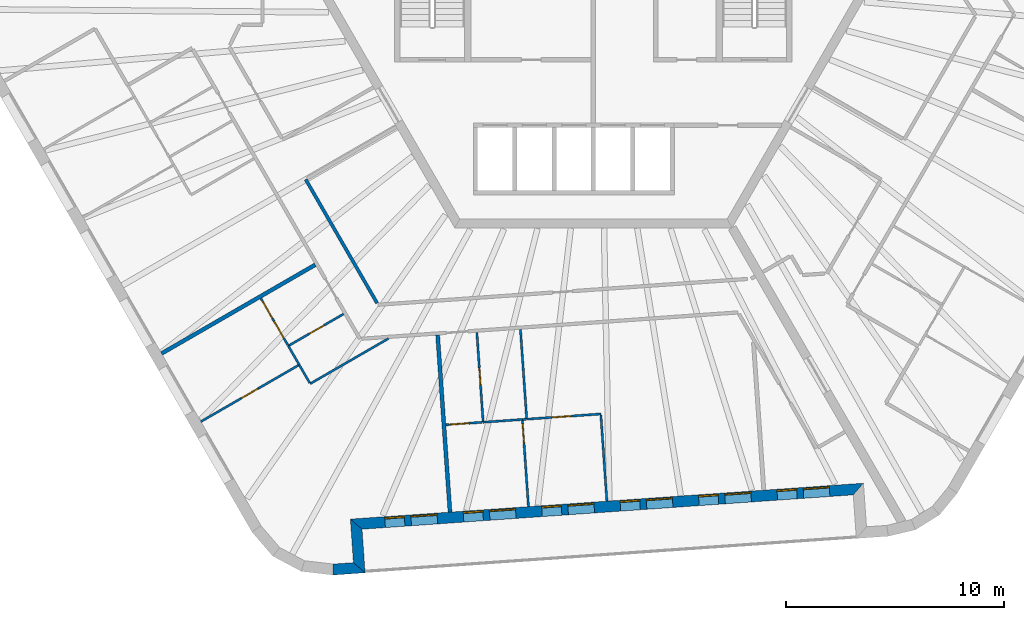
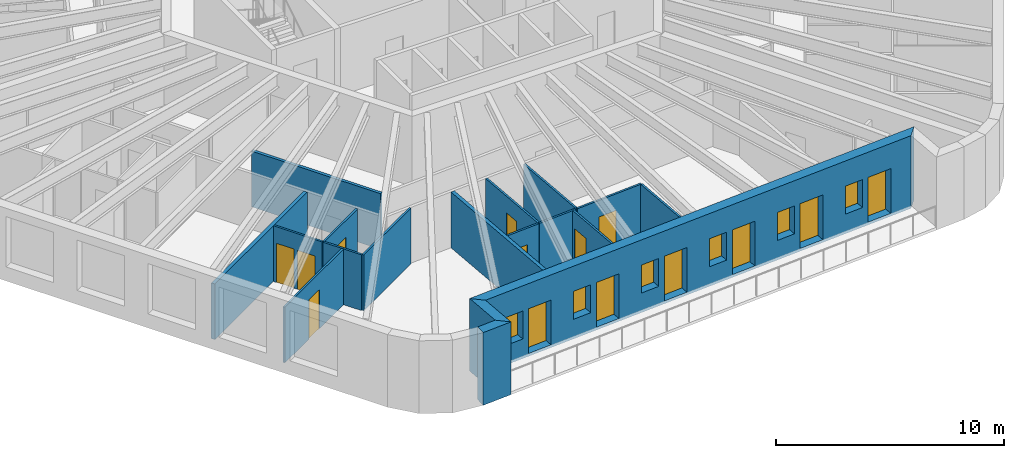
# One storey, part 3 of 12: 20 walls, 14 doors, 6 windows, 20 openings.
"""IFC4 building model written with IfcOpenShell, lengths in metres."""

from ifc_helpers import new_model, si_unit, direction, frame, frame_2d, origin, place, context, subcontext, project, spatial, polyline, rectangle, outline, extrude, material, layer, layer_set, type_object, element, fill, save


model = new_model("IFC4")

# Units and contexts
model_context = context("Model", 3, precision=1e-05, world=origin(), true_north=direction((0.0, 1.0)))
body_context = subcontext(model_context, "Body", "Model", "MODEL_VIEW")
ifc_project = project(units=[si_unit("LENGTHUNIT", "METRE"), si_unit("AREAUNIT", "SQUARE_METRE"), si_unit("VOLUMEUNIT", "CUBIC_METRE"), si_unit("PLANEANGLEUNIT", "RADIAN"), si_unit("MASSUNIT", "GRAM", prefix="KILO")], contexts=[model_context])

# Site, building, storey
site_placement = place(None, origin())
site = spatial("IfcSite", under=ifc_project, at=site_placement, CompositionType="ELEMENT")
building_placement = place(site_placement, origin())
building = spatial("IfcBuilding", under=site, at=building_placement, Name="Tarnside Tower", CompositionType="ELEMENT")
storey_placement = place(building_placement, frame((0.0, 0.0, 287.39990234375)))
storey = spatial("IfcBuildingStorey", under=building, at=storey_placement, Name="L69", CompositionType="ELEMENT", Elevation=287.39990234375)

# Walls
ifc_material_1 = material(Name="Gypsum board partition on steel studs", Category="steel")
ifc_layer_1 = layer(ifc_material_1, 0.10009765625)
ifc_layer_set_1 = layer_set([ifc_layer_1], Name="Bathroom wall 100")
wall_type_1 = type_object("IfcWallType", Name="Bathroom wall 100", PredefinedType="PARTITIONING", material=ifc_layer_set_1)
wall_1_placement = place(storey_placement, frame((-9.382080078125, -16.068603515625, 0.0), z_axis=(0.0, 0.0, 1.0), x_axis=(-0.866028486751, -0.499994660107, 0.0)))
element("IfcWall", 1, at=wall_1_placement, inside=storey, type_object=wall_type_1, Name="Bathroom wall 22129", PredefinedType="PARTITIONING", context=body_context, shape_type="SweptSolid", body=[
    extrude(rectangle(XDim=4.140625, YDim=0.10009765625, at=frame_2d((2.0703125, 0.0))), origin(), (0.0, 0.0, 1.0), 2.98779296875),
])
wall_2_placement = place(storey_placement, frame((-12.992919921875, -18.095703125, 0.0), z_axis=(0.0, 0.0, 1.0), x_axis=(-0.500055416838, 0.865993406494, 0.0)))
element("IfcWall", 2, at=wall_2_placement, inside=storey, type_object=wall_type_1, Name="Bathroom wall 22130", PredefinedType="PARTITIONING", context=body_context, shape_type="SweptSolid", body=[
    extrude(rectangle(XDim=0.9521484375, YDim=0.10009765625, at=frame_2d((0.47607421875, 0.0))), origin(), (0.0, 0.0, 1.0), 2.98779296875),
])

# Wall, opening, door
wall_3_placement = place(storey_placement, frame((-13.968017578125, -16.40673828125, 0.0), z_axis=(0.0, 0.0, 1.0), x_axis=(0.866046596414, 0.499963291492, 0.0)))
wall_3 = element("IfcWall", 3, at=wall_3_placement, inside=storey, type_object=wall_type_1, Name="Bathroom wall 22134", PredefinedType="PARTITIONING", context=body_context, shape_type="SweptSolid", body=[
    extrude(rectangle(XDim=2.925048828125, YDim=0.10009765625, at=frame_2d((1.46240234375, 0.0))), origin(), (0.0, 0.0, 1.0), 2.98779296875),
])
opening_1_placement = place(wall_3_placement, frame((1.10009765625, 0.0, 0.0)))
opening_1 = element("IfcOpeningElement", 4, at=opening_1_placement, cuts=wall_3, Name="Opening D-B1", PredefinedType="OPENING", context=body_context, shape_type="SweptSolid", body=[
    extrude(rectangle(XDim=0.800048828125, YDim=2.10009765625, at=frame_2d((0.39990234375, 1.050048828125))), frame((0.0, 0.06005859375, 0.0), z_axis=(0.0, -1.0, 0.0), x_axis=(1.0, 0.0, 0.0)), (0.0, 0.0, 1.0), 0.1201171875),
])
ifc_material_2 = material(Name="Timber door leaf", Category="wood")
door_type_1 = type_object("IfcDoorType", Name="Bathroom door 800", OperationType="NOTDEFINED", PredefinedType="DOOR", material=ifc_material_2)
door_1_placement = place(opening_1_placement, origin())
door_1 = element("IfcDoor", 5, at=door_1_placement, inside=storey, type_object=door_type_1, Name="Bathroom door 22042", OperationType="SINGLE_SWING_LEFT", OverallHeight=2.10009765625, OverallWidth=0.800048828125, PredefinedType="DOOR", context=body_context, shape_type="SweptSolid", body=[
    extrude(rectangle(XDim=0.800048828125, YDim=2.10009765625, at=frame_2d((0.39990234375, 1.050048828125))), frame((0.0, 0.02490234375, 0.0), z_axis=(0.0, -1.0, 0.0), x_axis=(1.0, 0.0, 0.0)), (0.0, 0.0, 1.0), 0.050048828125),
])
fill(opening_1, door_1)

# Walls
wall_4_placement = place(storey_placement, frame((-13.968994140625, -16.405029296875, 0.0), z_axis=(0.0, 0.0, 1.0), x_axis=(0.499912255713, -0.866076057046, 0.0)))
element("IfcWall", 6, at=wall_4_placement, inside=storey, type_object=wall_type_1, Name="Bathroom wall 22136", PredefinedType="PARTITIONING", context=body_context, shape_type="SweptSolid", body=[
    extrude(rectangle(XDim=1.002197265625, YDim=0.10009765625, at=frame_2d((0.5009765625, 0.0))), origin(), (0.0, 0.0, 1.0), 2.98779296875),
])
wall_5_placement = place(storey_placement, frame((-3.341552734375, -15.646240234375, 0.0), z_axis=(0.0, 0.0, 1.0), x_axis=(0.069779065701, -0.997562470219, 0.0)))
element("IfcWall", 7, at=wall_5_placement, inside=storey, type_object=wall_type_1, Name="Bathroom wall 22137", PredefinedType="PARTITIONING", context=body_context, shape_type="SweptSolid", body=[
    extrude(rectangle(XDim=4.125, YDim=0.10009765625, at=frame_2d((2.0625, 0.0))), origin(), (0.0, 0.0, 1.0), 2.98779296875),
])

# Wall, opening, door
wall_6_placement = place(storey_placement, frame((-5.048828125, -19.900634765625, 0.0), z_axis=(0.0, 0.0, 1.0), x_axis=(-0.069779065701, 0.997562470219, 0.0)))
wall_6 = element("IfcWall", 8, at=wall_6_placement, inside=storey, type_object=wall_type_1, Name="Bathroom wall 22141", PredefinedType="PARTITIONING", context=body_context, shape_type="SweptSolid", body=[
    extrude(rectangle(XDim=4.125, YDim=0.10009765625, at=frame_2d((2.0625, 0.0))), origin(), (0.0, 0.0, 1.0), 2.98779296875),
])
opening_2_placement = place(wall_6_placement, frame((1.699951171875, 0.0, 0.0)))
opening_2 = element("IfcOpeningElement", 9, at=opening_2_placement, cuts=wall_6, Name="Opening D-B1", PredefinedType="OPENING", context=body_context, shape_type="SweptSolid", body=[
    extrude(rectangle(XDim=0.800048828125, YDim=2.10009765625, at=frame_2d((0.39990234375, 1.050048828125))), frame((0.0, 0.06005859375, 0.0), z_axis=(0.0, -1.0, 0.0), x_axis=(1.0, 0.0, 0.0)), (0.0, 0.0, 1.0), 0.1201171875),
])
door_2_placement = place(opening_2_placement, origin())
door_2 = element("IfcDoor", 10, at=door_2_placement, inside=storey, type_object=door_type_1, Name="Bathroom door 22047", OperationType="SINGLE_SWING_LEFT", OverallHeight=2.10009765625, OverallWidth=0.800048828125, PredefinedType="DOOR", context=body_context, shape_type="SweptSolid", body=[
    extrude(rectangle(XDim=0.800048828125, YDim=2.10009765625, at=frame_2d((0.39990234375, 1.050048828125))), frame((0.0, 0.02490234375, 0.0), z_axis=(0.0, -1.0, 0.0), x_axis=(1.0, 0.0, 0.0)), (0.0, 0.0, 1.0), 0.050048828125),
])
fill(opening_2, door_2)

# Walls
wall_7_placement = place(storey_placement, frame((-5.05078125, -19.90087890625, 0.0), z_axis=(0.0, 0.0, 1.0), x_axis=(0.997562835018, 0.069773850337, 0.0)))
element("IfcWall", 11, at=wall_7_placement, inside=storey, type_object=wall_type_1, Name="Bathroom wall 22143", PredefinedType="PARTITIONING", context=body_context, shape_type="SweptSolid", body=[
    extrude(rectangle(XDim=1.802001953125, YDim=0.10009765625, at=frame_2d((0.90087890625, 0.0))), origin(), (0.0, 0.0, 1.0), 2.98779296875),
])
wall_8_placement = place(storey_placement, frame((-3.253173828125, -19.775146484375, 0.0), z_axis=(0.0, 0.0, 1.0), x_axis=(0.997499305037, 0.070676279262, 0.0)))
element("IfcWall", 12, at=wall_8_placement, inside=storey, type_object=wall_type_1, Name="Bathroom wall 22144", PredefinedType="PARTITIONING", context=body_context, shape_type="SweptSolid", body=[
    extrude(rectangle(XDim=0.152099609375, YDim=0.10009765625, at=frame_2d((0.076171875, 0.0))), origin(), (0.0, 0.0, 1.0), 2.98779296875),
])
ifc_layer_2 = layer(ifc_material_1, 0.14990234375)
ifc_layer_set_2 = layer_set([ifc_layer_2], Name="Corridor wall 150 EI 60")
wall_type_2 = type_object("IfcWallType", Name="Corridor wall 150 EI 60", PredefinedType="PARTITIONING", material=ifc_layer_set_2)
wall_9_placement = place(storey_placement, frame((-9.901123046875, -14.450927734375, 0.0), z_axis=(0.0, 0.0, 1.0), x_axis=(-0.49999161165, 0.866030246746, 0.0)))
element("IfcWall", 13, at=wall_9_placement, inside=storey, type_object=wall_type_2, Name="Corridor wall 22053", PredefinedType="PARTITIONING", context=body_context, shape_type="SweptSolid", body=[
    extrude(rectangle(XDim=6.54296875, YDim=0.14990234375, at=frame_2d((3.271484375, 0.0))), origin(), (0.0, 0.0, 1.0), 2.98779296875),
])
ifc_layer_3 = layer(ifc_material_1, 0.179931640625)
ifc_layer_set_3 = layer_set([ifc_layer_3], Name="Demising wall 180 EI 60")
wall_type_3 = type_object("IfcWallType", Name="Demising wall 180 EI 60", PredefinedType="PARTITIONING", material=ifc_layer_set_3)
for number, where, z_axis, x_axis, name in (
    (14, (-19.771240234375, -16.755126953125, 0.0), (0.0, 0.0, 1.0), (0.866022959057, 0.500004234368, 0.0), "Demising wall 22120"),
    (15, (-6.5654296875, -24.0166015625, 0.0), (0.0, 0.0, 1.0), (-0.069741515951, 0.997565096098, 0.0), "Demising wall 22132"),
):
    element("IfcWall", number, at=place(storey_placement, frame(where, z_axis=z_axis, x_axis=x_axis)), inside=storey, type_object=wall_type_3, Name=name, PredefinedType="PARTITIONING", context=body_context, shape_type="SweptSolid", body=[
        extrude(rectangle(XDim=8.125, YDim=0.179931640625, at=frame_2d((4.0625, 0.0))), origin(), (0.0, 0.0, 1.0), 2.98779296875),
    ])
ifc_material_3 = material(Name="Dark zinc cladding")
ifc_layer_4 = layer(ifc_material_3, 0.10205078125)
ifc_material_4 = material(Name="Concrete C60/75 precast", Category="concrete")
ifc_layer_5 = layer(ifc_material_4, 0.298095703125)
ifc_material_5 = material(Name="Mineral wool insulation")
ifc_layer_6 = layer(ifc_material_5, 0.10009765625)
ifc_layer_set_4 = layer_set([ifc_layer_4, ifc_layer_5, ifc_layer_6], Name="Loggia wall 500 zinc faced")
wall_type_4 = type_object("IfcWallType", Name="Loggia wall 500 zinc faced", PredefinedType="SOLIDWALL", material=ifc_layer_set_4)
wall_10_placement = place(storey_placement, frame((-11.91748046875, -26.646240234375, -0.14990234375), z_axis=(0.0, 0.0, 1.0), x_axis=(0.997562933087, 0.069772448216, 0.0)))
element("IfcWall", 16, at=wall_10_placement, inside=storey, type_object=wall_type_4, Name="Tube wall L69 F4 stub 16", PredefinedType="SOLIDWALL", context=body_context, shape_type="SweptSolid", body=[
    extrude(outline(polyline([(-0.0234375, -0.25), (1.4501953125, -0.25), (0.9501953125, 0.25), (0.0234375, 0.25), (-0.0234375, -0.25)])), origin(), (0.0, 0.0, 1.0), 3.89990234375),
])
wall_11_placement = place(storey_placement, frame((-10.72021484375, -26.5625, -0.14990234375), z_axis=(0.0, 0.0, 1.0), x_axis=(-0.069824268692, 0.99755930726, 0.0)))
element("IfcWall", 17, at=wall_11_placement, inside=storey, type_object=wall_type_4, Name="Tube wall L69 F4 return 17", PredefinedType="SOLIDWALL", context=body_context, shape_type="SweptSolid", body=[
    extrude(outline(polyline([(-0.25, -0.25), (1.75, -0.25), (2.25, 0.25), (0.25, 0.25), (-0.25, -0.25)])), origin(), (0.0, 0.0, 1.0), 3.89990234375),
])

# Wall, openings, doors, windows
wall_12_placement = place(storey_placement, frame((-10.85986328125, -24.5673828125, -0.14990234375), z_axis=(0.0, 0.0, 1.0), x_axis=(0.997564329317, 0.06975248292, 0.0)))
wall_12 = element("IfcWall", 18, at=wall_12_placement, inside=storey, type_object=wall_type_4, Name="Tube wall L69 F4 back 18", PredefinedType="SOLIDWALL", context=body_context, shape_type="SweptSolid", body=[
    extrude(outline(polyline([(0.25, -0.25), (22.794677734375, -0.25), (23.294677734375, 0.25), (-0.25, 0.25), (0.25, -0.25)])), origin(), (0.0, 0.0, 1.0), 3.89990234375),
])
opening_3_placement = place(wall_12_placement, frame((1.322509765625, 0.0, 1.050048828125)))
opening_3 = element("IfcOpeningElement", 19, at=opening_3_placement, cuts=wall_12, Name="Opening WL500", PredefinedType="OPENING", context=body_context, shape_type="SweptSolid", body=[
    extrude(rectangle(XDim=0.89990234375, YDim=1.5, at=frame_2d((0.449951171875, 0.75))), frame((0.0, 0.260009765625, 0.0), z_axis=(0.0, -1.0, 0.0), x_axis=(1.0, 0.0, 0.0)), (0.0, 0.0, 1.0), 0.52001953125),
])
opening_4_placement = place(wall_12_placement, frame((2.5224609375, 0.0, 0.14990234375)))
opening_4 = element("IfcOpeningElement", 20, at=opening_4_placement, cuts=wall_12, Name="Opening DB500", PredefinedType="OPENING", context=body_context, shape_type="SweptSolid", body=[
    extrude(rectangle(XDim=1.199951171875, YDim=2.39990234375, at=frame_2d((0.60009765625, 1.199951171875))), frame((0.0, 0.260009765625, 0.0), z_axis=(0.0, -1.0, 0.0), x_axis=(1.0, 0.0, 0.0)), (0.0, 0.0, 1.0), 0.52001953125),
])
opening_5_placement = place(wall_12_placement, frame((4.92236328125, 0.0, 1.050048828125)))
opening_5 = element("IfcOpeningElement", 21, at=opening_5_placement, cuts=wall_12, Name="Opening WL500", PredefinedType="OPENING", context=body_context, shape_type="SweptSolid", body=[
    extrude(rectangle(XDim=0.89990234375, YDim=1.5, at=frame_2d((0.449951171875, 0.75))), frame((0.0, 0.260009765625, 0.0), z_axis=(0.0, -1.0, 0.0), x_axis=(1.0, 0.0, 0.0)), (0.0, 0.0, 1.0), 0.52001953125),
])
opening_6_placement = place(wall_12_placement, frame((6.122314453125, 0.0, 0.14990234375)))
opening_6 = element("IfcOpeningElement", 22, at=opening_6_placement, cuts=wall_12, Name="Opening DB500", PredefinedType="OPENING", context=body_context, shape_type="SweptSolid", body=[
    extrude(rectangle(XDim=1.199951171875, YDim=2.39990234375, at=frame_2d((0.60009765625, 1.199951171875))), frame((0.0, 0.260009765625, 0.0), z_axis=(0.0, -1.0, 0.0), x_axis=(1.0, 0.0, 0.0)), (0.0, 0.0, 1.0), 0.52001953125),
])
opening_7_placement = place(wall_12_placement, frame((8.5224609375, 0.0, 1.050048828125)))
opening_7 = element("IfcOpeningElement", 23, at=opening_7_placement, cuts=wall_12, Name="Opening WL500", PredefinedType="OPENING", context=body_context, shape_type="SweptSolid", body=[
    extrude(rectangle(XDim=0.89990234375, YDim=1.5, at=frame_2d((0.449951171875, 0.75))), frame((0.0, 0.260009765625, 0.0), z_axis=(0.0, -1.0, 0.0), x_axis=(1.0, 0.0, 0.0)), (0.0, 0.0, 1.0), 0.52001953125),
])
opening_8_placement = place(wall_12_placement, frame((9.722412109375, 0.0, 0.14990234375)))
opening_8 = element("IfcOpeningElement", 24, at=opening_8_placement, cuts=wall_12, Name="Opening DB500", PredefinedType="OPENING", context=body_context, shape_type="SweptSolid", body=[
    extrude(rectangle(XDim=1.199951171875, YDim=2.39990234375, at=frame_2d((0.60009765625, 1.199951171875))), frame((0.0, 0.260009765625, 0.0), z_axis=(0.0, -1.0, 0.0), x_axis=(1.0, 0.0, 0.0)), (0.0, 0.0, 1.0), 0.52001953125),
])
opening_9_placement = place(wall_12_placement, frame((12.122314453125, 0.0, 1.050048828125)))
opening_9 = element("IfcOpeningElement", 25, at=opening_9_placement, cuts=wall_12, Name="Opening WL500", PredefinedType="OPENING", context=body_context, shape_type="SweptSolid", body=[
    extrude(rectangle(XDim=0.89990234375, YDim=1.5, at=frame_2d((0.449951171875, 0.75))), frame((0.0, 0.260009765625, 0.0), z_axis=(0.0, -1.0, 0.0), x_axis=(1.0, 0.0, 0.0)), (0.0, 0.0, 1.0), 0.52001953125),
])
opening_10_placement = place(wall_12_placement, frame((13.322509765625, 0.0, 0.14990234375)))
opening_10 = element("IfcOpeningElement", 26, at=opening_10_placement, cuts=wall_12, Name="Opening DB500", PredefinedType="OPENING", context=body_context, shape_type="SweptSolid", body=[
    extrude(rectangle(XDim=1.199951171875, YDim=2.39990234375, at=frame_2d((0.60009765625, 1.199951171875))), frame((0.0, 0.260009765625, 0.0), z_axis=(0.0, -1.0, 0.0), x_axis=(1.0, 0.0, 0.0)), (0.0, 0.0, 1.0), 0.52001953125),
])
opening_11_placement = place(wall_12_placement, frame((15.722412109375, 0.0, 1.050048828125)))
opening_11 = element("IfcOpeningElement", 27, at=opening_11_placement, cuts=wall_12, Name="Opening WL500", PredefinedType="OPENING", context=body_context, shape_type="SweptSolid", body=[
    extrude(rectangle(XDim=0.89990234375, YDim=1.5, at=frame_2d((0.449951171875, 0.75))), frame((0.0, 0.260009765625, 0.0), z_axis=(0.0, -1.0, 0.0), x_axis=(1.0, 0.0, 0.0)), (0.0, 0.0, 1.0), 0.52001953125),
])
opening_12_placement = place(wall_12_placement, frame((16.92236328125, 0.0, 0.14990234375)))
opening_12 = element("IfcOpeningElement", 28, at=opening_12_placement, cuts=wall_12, Name="Opening DB500", PredefinedType="OPENING", context=body_context, shape_type="SweptSolid", body=[
    extrude(rectangle(XDim=1.199951171875, YDim=2.39990234375, at=frame_2d((0.60009765625, 1.199951171875))), frame((0.0, 0.260009765625, 0.0), z_axis=(0.0, -1.0, 0.0), x_axis=(1.0, 0.0, 0.0)), (0.0, 0.0, 1.0), 0.52001953125),
])
opening_13_placement = place(wall_12_placement, frame((19.322509765625, 0.0, 1.050048828125)))
opening_13 = element("IfcOpeningElement", 29, at=opening_13_placement, cuts=wall_12, Name="Opening WL500", PredefinedType="OPENING", context=body_context, shape_type="SweptSolid", body=[
    extrude(rectangle(XDim=0.89990234375, YDim=1.5, at=frame_2d((0.449951171875, 0.75))), frame((0.0, 0.260009765625, 0.0), z_axis=(0.0, -1.0, 0.0), x_axis=(1.0, 0.0, 0.0)), (0.0, 0.0, 1.0), 0.52001953125),
])
opening_14_placement = place(wall_12_placement, frame((20.5224609375, 0.0, 0.14990234375)))
opening_14 = element("IfcOpeningElement", 30, at=opening_14_placement, cuts=wall_12, Name="Opening DB500", PredefinedType="OPENING", context=body_context, shape_type="SweptSolid", body=[
    extrude(rectangle(XDim=1.199951171875, YDim=2.39990234375, at=frame_2d((0.60009765625, 1.199951171875))), frame((0.0, 0.260009765625, 0.0), z_axis=(0.0, -1.0, 0.0), x_axis=(1.0, 0.0, 0.0)), (0.0, 0.0, 1.0), 0.52001953125),
])
ifc_material_6 = material(Name="Aluminium-framed double glazing", Category="aluminium")
door_type_2 = type_object("IfcDoorType", Name="Balcony sliding door 1200 x 2400 in 500 wall", OperationType="SLIDING_TO_LEFT", PredefinedType="DOOR", material=ifc_material_6)
door_3_placement = place(opening_4_placement, frame((0.0, 0.1748046875, 0.0)))
door_3 = element("IfcDoor", 31, at=door_3_placement, inside=storey, type_object=door_type_2, Name="E.BD.L69.F4.00", OperationType="SLIDING_TO_LEFT", OverallHeight=2.39990234375, OverallWidth=1.199951171875, PredefinedType="DOOR", context=body_context, shape_type="SweptSolid", body=[
    extrude(rectangle(XDim=1.199951171875, YDim=2.39990234375, at=frame_2d((0.60009765625, 1.199951171875))), frame((0.0, 0.02490234375, 0.0), z_axis=(0.0, -1.0, 0.0), x_axis=(1.0, 0.0, 0.0)), (0.0, 0.0, 1.0), 0.050048828125),
])
fill(opening_4, door_3)
door_4_placement = place(opening_6_placement, frame((0.0, 0.1748046875, 0.0)))
door_4 = element("IfcDoor", 32, at=door_4_placement, inside=storey, type_object=door_type_2, Name="E.BD.L69.F4.01", OperationType="SLIDING_TO_LEFT", OverallHeight=2.39990234375, OverallWidth=1.199951171875, PredefinedType="DOOR", context=body_context, shape_type="SweptSolid", body=[
    extrude(rectangle(XDim=1.199951171875, YDim=2.39990234375, at=frame_2d((0.60009765625, 1.199951171875))), frame((0.0, 0.02490234375, 0.0), z_axis=(0.0, -1.0, 0.0), x_axis=(1.0, 0.0, 0.0)), (0.0, 0.0, 1.0), 0.050048828125),
])
fill(opening_6, door_4)
door_5_placement = place(opening_8_placement, frame((0.0, 0.1748046875, 0.0)))
door_5 = element("IfcDoor", 33, at=door_5_placement, inside=storey, type_object=door_type_2, Name="E.BD.L69.F4.02", OperationType="SLIDING_TO_LEFT", OverallHeight=2.39990234375, OverallWidth=1.199951171875, PredefinedType="DOOR", context=body_context, shape_type="SweptSolid", body=[
    extrude(rectangle(XDim=1.199951171875, YDim=2.39990234375, at=frame_2d((0.60009765625, 1.199951171875))), frame((0.0, 0.02490234375, 0.0), z_axis=(0.0, -1.0, 0.0), x_axis=(1.0, 0.0, 0.0)), (0.0, 0.0, 1.0), 0.050048828125),
])
fill(opening_8, door_5)
door_6_placement = place(opening_10_placement, frame((0.0, 0.1748046875, 0.0)))
door_6 = element("IfcDoor", 34, at=door_6_placement, inside=storey, type_object=door_type_2, Name="E.BD.L69.F4.03", OperationType="SLIDING_TO_LEFT", OverallHeight=2.39990234375, OverallWidth=1.199951171875, PredefinedType="DOOR", context=body_context, shape_type="SweptSolid", body=[
    extrude(rectangle(XDim=1.199951171875, YDim=2.39990234375, at=frame_2d((0.60009765625, 1.199951171875))), frame((0.0, 0.02490234375, 0.0), z_axis=(0.0, -1.0, 0.0), x_axis=(1.0, 0.0, 0.0)), (0.0, 0.0, 1.0), 0.050048828125),
])
fill(opening_10, door_6)
door_7_placement = place(opening_12_placement, frame((0.0, 0.1748046875, 0.0)))
door_7 = element("IfcDoor", 35, at=door_7_placement, inside=storey, type_object=door_type_2, Name="E.BD.L69.F4.04", OperationType="SLIDING_TO_LEFT", OverallHeight=2.39990234375, OverallWidth=1.199951171875, PredefinedType="DOOR", context=body_context, shape_type="SweptSolid", body=[
    extrude(rectangle(XDim=1.199951171875, YDim=2.39990234375, at=frame_2d((0.60009765625, 1.199951171875))), frame((0.0, 0.02490234375, 0.0), z_axis=(0.0, -1.0, 0.0), x_axis=(1.0, 0.0, 0.0)), (0.0, 0.0, 1.0), 0.050048828125),
])
fill(opening_12, door_7)
door_8_placement = place(opening_14_placement, frame((0.0, 0.1748046875, 0.0)))
door_8 = element("IfcDoor", 36, at=door_8_placement, inside=storey, type_object=door_type_2, Name="E.BD.L69.F4.05", OperationType="SLIDING_TO_LEFT", OverallHeight=2.39990234375, OverallWidth=1.199951171875, PredefinedType="DOOR", context=body_context, shape_type="SweptSolid", body=[
    extrude(rectangle(XDim=1.199951171875, YDim=2.39990234375, at=frame_2d((0.60009765625, 1.199951171875))), frame((0.0, 0.02490234375, 0.0), z_axis=(0.0, -1.0, 0.0), x_axis=(1.0, 0.0, 0.0)), (0.0, 0.0, 1.0), 0.050048828125),
])
fill(opening_14, door_8)
window_type = type_object("IfcWindowType", Name="Loggia window 900 x 1500 in 500 wall", PartitioningType="SINGLE_PANEL", PredefinedType="WINDOW", material=ifc_material_6)
window_1_placement = place(opening_3_placement, frame((0.0, 0.179931640625, 0.0)))
window_1 = element("IfcWindow", 37, at=window_1_placement, inside=storey, type_object=window_type, Name="E.LW.L69.F4.00", OverallHeight=1.5, OverallWidth=0.89990234375, PartitioningType="SINGLE_PANEL", PredefinedType="WINDOW", context=body_context, shape_type="SweptSolid", body=[
    extrude(rectangle(XDim=0.89990234375, YDim=1.5, at=frame_2d((0.449951171875, 0.75))), frame((0.0, 0.030029296875, 0.0), z_axis=(0.0, -1.0, 0.0), x_axis=(1.0, 0.0, 0.0)), (0.0, 0.0, 1.0), 0.06005859375),
])
fill(opening_3, window_1)
window_2_placement = place(opening_5_placement, frame((0.0, 0.179931640625, 0.0)))
window_2 = element("IfcWindow", 38, at=window_2_placement, inside=storey, type_object=window_type, Name="E.LW.L69.F4.01", OverallHeight=1.5, OverallWidth=0.89990234375, PartitioningType="SINGLE_PANEL", PredefinedType="WINDOW", context=body_context, shape_type="SweptSolid", body=[
    extrude(rectangle(XDim=0.89990234375, YDim=1.5, at=frame_2d((0.449951171875, 0.75))), frame((0.0, 0.030029296875, 0.0), z_axis=(0.0, -1.0, 0.0), x_axis=(1.0, 0.0, 0.0)), (0.0, 0.0, 1.0), 0.06005859375),
])
fill(opening_5, window_2)
window_3_placement = place(opening_7_placement, frame((0.0, 0.179931640625, 0.0)))
window_3 = element("IfcWindow", 39, at=window_3_placement, inside=storey, type_object=window_type, Name="E.LW.L69.F4.02", OverallHeight=1.5, OverallWidth=0.89990234375, PartitioningType="SINGLE_PANEL", PredefinedType="WINDOW", context=body_context, shape_type="SweptSolid", body=[
    extrude(rectangle(XDim=0.89990234375, YDim=1.5, at=frame_2d((0.449951171875, 0.75))), frame((0.0, 0.030029296875, 0.0), z_axis=(0.0, -1.0, 0.0), x_axis=(1.0, 0.0, 0.0)), (0.0, 0.0, 1.0), 0.06005859375),
])
fill(opening_7, window_3)
window_4_placement = place(opening_9_placement, frame((0.0, 0.179931640625, 0.0)))
window_4 = element("IfcWindow", 40, at=window_4_placement, inside=storey, type_object=window_type, Name="E.LW.L69.F4.03", OverallHeight=1.5, OverallWidth=0.89990234375, PartitioningType="SINGLE_PANEL", PredefinedType="WINDOW", context=body_context, shape_type="SweptSolid", body=[
    extrude(rectangle(XDim=0.89990234375, YDim=1.5, at=frame_2d((0.449951171875, 0.75))), frame((0.0, 0.030029296875, 0.0), z_axis=(0.0, -1.0, 0.0), x_axis=(1.0, 0.0, 0.0)), (0.0, 0.0, 1.0), 0.06005859375),
])
fill(opening_9, window_4)
window_5_placement = place(opening_11_placement, frame((0.0, 0.179931640625, 0.0)))
window_5 = element("IfcWindow", 41, at=window_5_placement, inside=storey, type_object=window_type, Name="E.LW.L69.F4.04", OverallHeight=1.5, OverallWidth=0.89990234375, PartitioningType="SINGLE_PANEL", PredefinedType="WINDOW", context=body_context, shape_type="SweptSolid", body=[
    extrude(rectangle(XDim=0.89990234375, YDim=1.5, at=frame_2d((0.449951171875, 0.75))), frame((0.0, 0.030029296875, 0.0), z_axis=(0.0, -1.0, 0.0), x_axis=(1.0, 0.0, 0.0)), (0.0, 0.0, 1.0), 0.06005859375),
])
fill(opening_11, window_5)
window_6_placement = place(opening_13_placement, frame((0.0, 0.179931640625, 0.0)))
window_6 = element("IfcWindow", 42, at=window_6_placement, inside=storey, type_object=window_type, Name="E.LW.L69.F4.05", OverallHeight=1.5, OverallWidth=0.89990234375, PartitioningType="SINGLE_PANEL", PredefinedType="WINDOW", context=body_context, shape_type="SweptSolid", body=[
    extrude(rectangle(XDim=0.89990234375, YDim=1.5, at=frame_2d((0.449951171875, 0.75))), frame((0.0, 0.030029296875, 0.0), z_axis=(0.0, -1.0, 0.0), x_axis=(1.0, 0.0, 0.0)), (0.0, 0.0, 1.0), 0.06005859375),
])
fill(opening_13, window_6)

# Wall, opening, door
ifc_layer_7 = layer(ifc_material_1, 0.10009765625)
ifc_layer_set_5 = layer_set([ifc_layer_7], Name="Partition 100")
wall_type_5 = type_object("IfcWallType", Name="Partition 100", PredefinedType="PARTITIONING", material=ifc_layer_set_5)
wall_13_placement = place(storey_placement, frame((-13.51123046875, -17.2978515625, 0.0), z_axis=(0.0, 0.0, 1.0), x_axis=(-0.866026116456, -0.499998765615, 0.0)))
wall_13 = element("IfcWall", 43, at=wall_13_placement, inside=storey, type_object=wall_type_5, Name="Partition wall 22131", PredefinedType="PARTITIONING", context=body_context, shape_type="SweptSolid", body=[
    extrude(rectangle(XDim=5.14990234375, YDim=0.10009765625, at=frame_2d((2.574951171875, 0.0))), origin(), (0.0, 0.0, 1.0), 2.98779296875),
])
opening_15_placement = place(wall_13_placement, frame((2.125, 0.0, 0.0)))
opening_15 = element("IfcOpeningElement", 44, at=opening_15_placement, cuts=wall_13, Name="Opening D-I1", PredefinedType="OPENING", context=body_context, shape_type="SweptSolid", body=[
    extrude(rectangle(XDim=0.89990234375, YDim=2.10009765625, at=frame_2d((0.449951171875, 1.050048828125))), frame((0.0, 0.06005859375, 0.0), z_axis=(0.0, -1.0, 0.0), x_axis=(1.0, 0.0, 0.0)), (0.0, 0.0, 1.0), 0.1201171875),
])
door_type_3 = type_object("IfcDoorType", Name="Internal door 900", OperationType="NOTDEFINED", PredefinedType="DOOR", material=ifc_material_2)
door_9_placement = place(opening_15_placement, origin())
door_9 = element("IfcDoor", 45, at=door_9_placement, inside=storey, type_object=door_type_3, Name="Internal door 22084", OperationType="SINGLE_SWING_RIGHT", OverallHeight=2.10009765625, OverallWidth=0.89990234375, PredefinedType="DOOR", context=body_context, shape_type="SweptSolid", body=[
    extrude(rectangle(XDim=0.89990234375, YDim=2.10009765625, at=frame_2d((0.449951171875, 1.050048828125))), frame((0.0, 0.02490234375, 0.0), z_axis=(0.0, -1.0, 0.0), x_axis=(1.0, 0.0, 0.0)), (0.0, 0.0, 1.0), 0.050048828125),
])
fill(opening_15, door_9)

# Wall, openings, doors
wall_14_placement = place(storey_placement, frame((-15.222900390625, -14.233154296875, 0.0), z_axis=(0.0, 0.0, 1.0), x_axis=(0.500000007376, -0.866025399526, 0.0)))
wall_14 = element("IfcWall", 46, at=wall_14_placement, inside=storey, type_object=wall_type_5, Name="Partition wall 22135", PredefinedType="PARTITIONING", context=body_context, shape_type="SweptSolid", body=[
    extrude(rectangle(XDim=2.4619140625, YDim=0.10009765625, at=frame_2d((1.23095703125, 0.0))), origin(), (0.0, 0.0, 1.0), 2.98779296875),
])
opening_16_placement = place(wall_14_placement, frame((0.14990234375, 0.0, 0.0)))
opening_16 = element("IfcOpeningElement", 47, at=opening_16_placement, cuts=wall_14, Name="Opening D-I1", PredefinedType="OPENING", context=body_context, shape_type="SweptSolid", body=[
    extrude(rectangle(XDim=0.89990234375, YDim=2.10009765625, at=frame_2d((0.449951171875, 1.050048828125))), frame((0.0, 0.06005859375, 0.0), z_axis=(0.0, -1.0, 0.0), x_axis=(1.0, 0.0, 0.0)), (0.0, 0.0, 1.0), 0.1201171875),
])
opening_17_placement = place(wall_14_placement, frame((1.2099609375, 0.0, 0.0)))
opening_17 = element("IfcOpeningElement", 48, at=opening_17_placement, cuts=wall_14, Name="Opening D-I1", PredefinedType="OPENING", context=body_context, shape_type="SweptSolid", body=[
    extrude(rectangle(XDim=0.89990234375, YDim=2.10009765625, at=frame_2d((0.449951171875, 1.050048828125))), frame((0.0, 0.06005859375, 0.0), z_axis=(0.0, -1.0, 0.0), x_axis=(1.0, 0.0, 0.0)), (0.0, 0.0, 1.0), 0.1201171875),
])
door_10_placement = place(opening_16_placement, origin())
door_10 = element("IfcDoor", 49, at=door_10_placement, inside=storey, type_object=door_type_3, Name="Internal door 22044", OperationType="SINGLE_SWING_LEFT", OverallHeight=2.10009765625, OverallWidth=0.89990234375, PredefinedType="DOOR", context=body_context, shape_type="SweptSolid", body=[
    extrude(rectangle(XDim=0.89990234375, YDim=2.10009765625, at=frame_2d((0.449951171875, 1.050048828125))), frame((0.0, 0.02490234375, 0.0), z_axis=(0.0, -1.0, 0.0), x_axis=(1.0, 0.0, 0.0)), (0.0, 0.0, 1.0), 0.050048828125),
])
fill(opening_16, door_10)
door_11_placement = place(opening_17_placement, origin())
door_11 = element("IfcDoor", 50, at=door_11_placement, inside=storey, type_object=door_type_3, Name="Internal door 22045", OperationType="SINGLE_SWING_LEFT", OverallHeight=2.10009765625, OverallWidth=0.89990234375, PredefinedType="DOOR", context=body_context, shape_type="SweptSolid", body=[
    extrude(rectangle(XDim=0.89990234375, YDim=2.10009765625, at=frame_2d((0.449951171875, 1.050048828125))), frame((0.0, 0.02490234375, 0.0), z_axis=(0.0, -1.0, 0.0), x_axis=(1.0, 0.0, 0.0)), (0.0, 0.0, 1.0), 0.050048828125),
])
fill(opening_17, door_11)

# Wall, opening, door
wall_15_placement = place(storey_placement, frame((-3.0556640625, -19.76123046875, 0.0), z_axis=(0.0, 0.0, 1.0), x_axis=(0.997564312984, 0.069752716511, 0.0)))
wall_15 = element("IfcWall", 51, at=wall_15_placement, inside=storey, type_object=wall_type_5, Name="Partition wall 22138", PredefinedType="PARTITIONING", context=body_context, shape_type="SweptSolid", body=[
    extrude(rectangle(XDim=3.402099609375, YDim=0.10009765625, at=frame_2d((1.701171875, 0.0))), origin(), (0.0, 0.0, 1.0), 2.98779296875),
])
opening_18_placement = place(wall_15_placement, frame((1.152099609375, 0.0, 0.0)))
opening_18 = element("IfcOpeningElement", 52, at=opening_18_placement, cuts=wall_15, Name="Opening D-I1", PredefinedType="OPENING", context=body_context, shape_type="SweptSolid", body=[
    extrude(rectangle(XDim=0.89990234375, YDim=2.10009765625, at=frame_2d((0.449951171875, 1.050048828125))), frame((0.0, 0.06005859375, 0.0), z_axis=(0.0, -1.0, 0.0), x_axis=(1.0, 0.0, 0.0)), (0.0, 0.0, 1.0), 0.1201171875),
])
door_12_placement = place(opening_18_placement, origin())
door_12 = element("IfcDoor", 53, at=door_12_placement, inside=storey, type_object=door_type_3, Name="Internal door 22053", OperationType="SINGLE_SWING_RIGHT", OverallHeight=2.10009765625, OverallWidth=0.89990234375, PredefinedType="DOOR", context=body_context, shape_type="SweptSolid", body=[
    extrude(rectangle(XDim=0.89990234375, YDim=2.10009765625, at=frame_2d((0.449951171875, 1.050048828125))), frame((0.0, 0.02490234375, 0.0), z_axis=(0.0, -1.0, 0.0), x_axis=(1.0, 0.0, 0.0)), (0.0, 0.0, 1.0), 0.050048828125),
])
fill(opening_18, door_12)

# Wall
wall_16_placement = place(storey_placement, frame((0.341552734375, -19.573974609375, 0.0), z_axis=(0.0, 0.0, 1.0), x_axis=(0.06972271583, -0.997566410269, 0.0)))
element("IfcWall", 54, at=wall_16_placement, inside=storey, type_object=wall_type_5, Name="Partition wall 22139", PredefinedType="PARTITIONING", context=body_context, shape_type="SweptSolid", body=[
    extrude(rectangle(XDim=3.94970703125, YDim=0.10009765625, at=frame_2d((1.974853515625, 0.0))), origin(), (0.0, 0.0, 1.0), 2.98779296875),
])

# Wall, opening, door
wall_17_placement = place(storey_placement, frame((-6.754638671875, -20.02001953125, 0.0), z_axis=(0.0, 0.0, 1.0), x_axis=(0.9975627517, 0.069775041534, 0.0)))
wall_17 = element("IfcWall", 55, at=wall_17_placement, inside=storey, type_object=wall_type_5, Name="Partition wall 22142", PredefinedType="PARTITIONING", context=body_context, shape_type="SweptSolid", body=[
    extrude(rectangle(XDim=1.662109375, YDim=0.10009765625, at=frame_2d((0.8310546875, 0.0))), origin(), (0.0, 0.0, 1.0), 2.98779296875),
])
opening_19_placement = place(wall_17_placement, frame((0.14990234375, 0.0, 0.0)))
opening_19 = element("IfcOpeningElement", 56, at=opening_19_placement, cuts=wall_17, Name="Opening D-I1", PredefinedType="OPENING", context=body_context, shape_type="SweptSolid", body=[
    extrude(rectangle(XDim=0.89990234375, YDim=2.10009765625, at=frame_2d((0.449951171875, 1.050048828125))), frame((0.0, 0.06005859375, 0.0), z_axis=(0.0, -1.0, 0.0), x_axis=(1.0, 0.0, 0.0)), (0.0, 0.0, 1.0), 0.1201171875),
])
door_13_placement = place(opening_19_placement, origin())
door_13 = element("IfcDoor", 57, at=door_13_placement, inside=storey, type_object=door_type_3, Name="Internal door 22049", OperationType="SINGLE_SWING_LEFT", OverallHeight=2.10009765625, OverallWidth=0.89990234375, PredefinedType="DOOR", context=body_context, shape_type="SweptSolid", body=[
    extrude(rectangle(XDim=0.89990234375, YDim=2.10009765625, at=frame_2d((0.449951171875, 1.050048828125))), frame((0.0, 0.02490234375, 0.0), z_axis=(0.0, -1.0, 0.0), x_axis=(1.0, 0.0, 0.0)), (0.0, 0.0, 1.0), 0.050048828125),
])
fill(opening_19, door_13)

wall_18_placement = place(storey_placement, frame((-2.97412109375, -23.765380859375, 0.0), z_axis=(0.0, 0.0, 1.0), x_axis=(-0.069779923244, 0.997562410234, 0.0)))
wall_18 = element("IfcWall", 58, at=wall_18_placement, inside=storey, type_object=wall_type_5, Name="Partition wall 22145", PredefinedType="PARTITIONING", context=body_context, shape_type="SweptSolid", body=[
    extrude(rectangle(XDim=3.949951171875, YDim=0.10009765625, at=frame_2d((1.97509765625, 0.0))), origin(), (0.0, 0.0, 1.0), 2.98779296875),
])
opening_20_placement = place(wall_18_placement, frame((2.89990234375, 0.0, 0.0)))
opening_20 = element("IfcOpeningElement", 59, at=opening_20_placement, cuts=wall_18, Name="Opening D-I1", PredefinedType="OPENING", context=body_context, shape_type="SweptSolid", body=[
    extrude(rectangle(XDim=0.89990234375, YDim=2.10009765625, at=frame_2d((0.449951171875, 1.050048828125))), frame((0.0, 0.06005859375, 0.0), z_axis=(0.0, -1.0, 0.0), x_axis=(1.0, 0.0, 0.0)), (0.0, 0.0, 1.0), 0.1201171875),
])
door_14_placement = place(opening_20_placement, origin())
door_14 = element("IfcDoor", 60, at=door_14_placement, inside=storey, type_object=door_type_3, Name="Internal door 22052", OperationType="SINGLE_SWING_RIGHT", OverallHeight=2.10009765625, OverallWidth=0.89990234375, PredefinedType="DOOR", context=body_context, shape_type="SweptSolid", body=[
    extrude(rectangle(XDim=0.89990234375, YDim=2.10009765625, at=frame_2d((0.449951171875, 1.050048828125))), frame((0.0, 0.02490234375, 0.0), z_axis=(0.0, -1.0, 0.0), x_axis=(1.0, 0.0, 0.0)), (0.0, 0.0, 1.0), 0.050048828125),
])
fill(opening_20, door_14)

save(model, "model.ifc")
